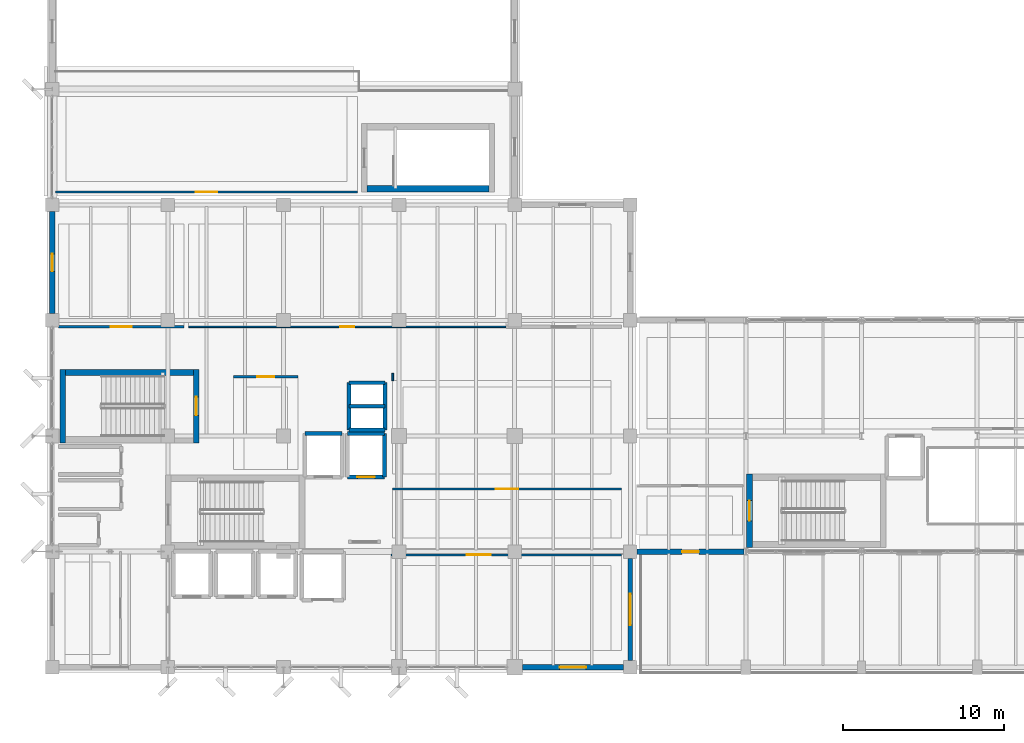
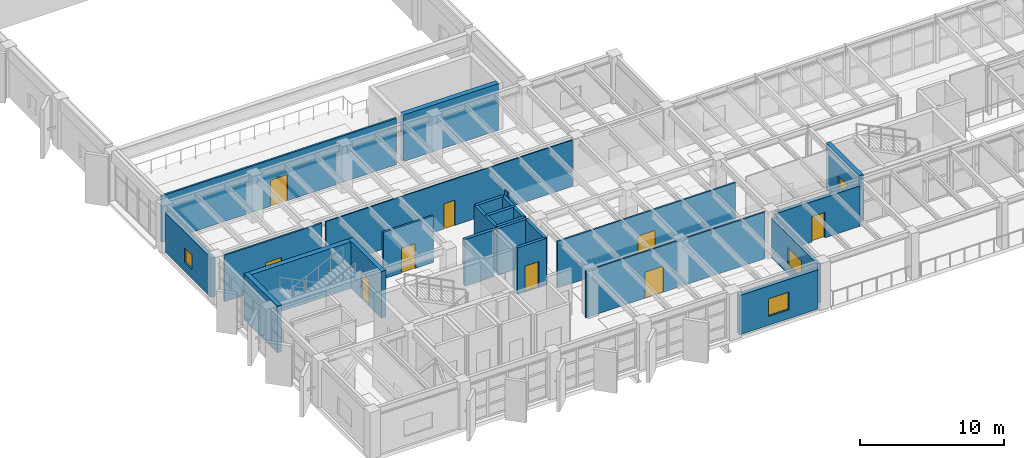
# One storey, part 41 of 59: 25 walls, 10 doors, 3 windows, 13 openings.
"""IFC4 building model written with IfcOpenShell, lengths in metres."""

from ifc_helpers import new_model, si_unit, direction, frame, frame_2d, origin, place, context, subcontext, project, spatial, rectangle, extrude, material, layer, layer_set, type_object, element, fill, save


model = new_model("IFC4")

# Units and contexts
model_context = context("Model", 3, precision=1e-05, world=origin(), true_north=direction((0.0, 1.0)))
body_context = subcontext(model_context, "Body", "Model", "MODEL_VIEW")
ifc_project = project(units=[si_unit("LENGTHUNIT", "METRE"), si_unit("AREAUNIT", "SQUARE_METRE"), si_unit("VOLUMEUNIT", "CUBIC_METRE"), si_unit("PLANEANGLEUNIT", "RADIAN"), si_unit("MASSUNIT", "GRAM", prefix="KILO")], contexts=[model_context])

# Site, building, storey
site_placement = place(None, origin())
site = spatial("IfcSite", under=ifc_project, at=site_placement, CompositionType="ELEMENT")
building_placement = place(site_placement, origin())
building = spatial("IfcBuilding", under=site, at=building_placement, Name="Kandorven Conservatory and Botanical Research Centre", CompositionType="ELEMENT")
storey_placement = place(building_placement, frame((0.0, 0.0, 4.800048828125)))
storey = spatial("IfcBuildingStorey", under=building, at=storey_placement, Name="L01", CompositionType="ELEMENT", Elevation=4.800048828125)

# Walls
ifc_material_1 = material(Name="Concrete C40/50 (M50)", Category="concrete")
ifc_layer_1 = layer(ifc_material_1, 0.39990234375)
ifc_layer_set_1 = layer_set([ifc_layer_1], Name="Concrete C40/50 (M50)")
wall_type_1 = type_object("IfcWallType", Name="Wall_CW-RC-1", PredefinedType="SHEAR", material=ifc_layer_set_1)
wall_1_placement = place(storey_placement, frame((14.800048828125, 24.35498046875, 0.0), z_axis=(0.0, 0.0, 1.0), x_axis=(-1.0, 0.0, 0.0)))
element("IfcWall", 1, at=wall_1_placement, inside=storey, type_object=wall_type_1, Name="Core stair shear wall CW-RC-1 ST-T2 L01 side A", PredefinedType="SHEAR", context=body_context, shape_type="SweptSolid", body=[
    extrude(rectangle(XDim=7.97998046875, YDim=0.39990234375, at=frame_2d((3.989990234375, 0.0))), origin(), (0.0, 0.0, 1.0), 3.949951171875),
])
wall_2_placement = place(storey_placement, frame((25.60009765625, 35.794921875, 0.0), z_axis=(0.0, 0.0, 1.0), x_axis=(1.0, 0.0, 0.0)))
element("IfcWall", 2, at=wall_2_placement, inside=storey, type_object=wall_type_1, Name="Core stair shear wall CW-RC-1 ST-V2 L01 side A", PredefinedType="SHEAR", context=body_context, shape_type="SweptSolid", body=[
    extrude(rectangle(XDim=7.599853515625, YDim=0.39990234375, at=frame_2d((3.7998046875, 0.0))), origin(), (0.0, 0.0, 1.0), 3.949951171875),
])

# Wall, opening, door
ifc_material_2 = material(Name="Concrete C40/50 (M50)", Category="concrete")
ifc_layer_2 = layer(ifc_material_2, 0.35009765625)
ifc_layer_set_2 = layer_set([ifc_layer_2], Name="Concrete C40/50 (M50)")
wall_type_2 = type_object("IfcWallType", Name="Wall_CW-RC-2", PredefinedType="SHEAR", material=ifc_layer_set_2)
wall_3_placement = place(storey_placement, frame((14.97509765625, 24.550048828125, 0.0), z_axis=(0.0, 0.0, 1.0), x_axis=(0.0, -1.0, 0.0)))
wall_3 = element("IfcWall", 3, at=wall_3_placement, inside=storey, type_object=wall_type_2, Name="Core stair shear wall CW-RC-2 ST-T2 L01 entry", PredefinedType="SHEAR", context=body_context, shape_type="SweptSolid", body=[
    extrude(rectangle(XDim=4.590087890625, YDim=0.35009765625, at=frame_2d((2.294921875, 0.0))), origin(), (0.0, 0.0, 1.0), 3.949951171875),
])
opening_1_placement = place(wall_3_placement, frame((1.719970703125, 0.0, 0.0)))
opening_1 = element("IfcOpeningElement", 4, at=opening_1_placement, cuts=wall_3, Name="Opening FD-2", PredefinedType="OPENING", context=body_context, shape_type="SweptSolid", body=[
    extrude(rectangle(XDim=1.14990234375, YDim=2.199951171875, at=frame_2d((0.574951171875, 1.10009765625))), frame((0.0, 0.18505859375, 0.0), z_axis=(0.0, -1.0, 0.0), x_axis=(1.0, 0.0, 0.0)), (0.0, 0.0, 1.0), 0.3701171875),
])
ifc_material_3 = material(Name="Galvanised hollow steel fire door assembly", Category="steel")
door_type_1 = type_object("IfcDoorType", Name="Door_FD-2", OperationType="NOTDEFINED", PredefinedType="DOOR", material=ifc_material_3)
door_1_placement = place(opening_1_placement, origin())
door_1 = element("IfcDoor", 5, at=door_1_placement, inside=storey, type_object=door_type_1, Name="Exit stair fire door FD-2 ST-T2 L01", OperationType="SINGLE_SWING_RIGHT", OverallHeight=2.199951171875, OverallWidth=1.14990234375, PredefinedType="DOOR", context=body_context, shape_type="SweptSolid", body=[
    extrude(rectangle(XDim=1.14990234375, YDim=2.199951171875, at=frame_2d((0.574951171875, 1.10009765625))), frame((0.0, 0.02490234375, 0.0), z_axis=(0.0, -1.0, 0.0), x_axis=(1.0, 0.0, 0.0)), (0.0, 0.0, 1.0), 0.050048828125),
])
fill(opening_1, door_1)

# Wall
wall_4_placement = place(storey_placement, frame((6.64501953125, 24.550048828125, 0.0), z_axis=(0.0, 0.0, 1.0), x_axis=(0.0, -1.0, 0.0)))
element("IfcWall", 6, at=wall_4_placement, inside=storey, type_object=wall_type_2, Name="Core stair shear wall CW-RC-2 ST-T2 L01 far", PredefinedType="SHEAR", context=body_context, shape_type="SweptSolid", body=[
    extrude(rectangle(XDim=4.590087890625, YDim=0.35009765625, at=frame_2d((2.294921875, 0.0))), origin(), (0.0, 0.0, 1.0), 3.949951171875),
])

# Wall, opening, door
wall_5_placement = place(storey_placement, frame((49.425048828125, 13.449951171875, 0.0), z_axis=(0.0, 0.0, 1.0), x_axis=(0.0, 1.0, 0.0)))
wall_5 = element("IfcWall", 7, at=wall_5_placement, inside=storey, type_object=wall_type_2, Name="Core stair shear wall CW-RC-2 ST-V3A L01 entry", PredefinedType="SHEAR", context=body_context, shape_type="SweptSolid", body=[
    extrude(rectangle(XDim=4.590087890625, YDim=0.35009765625, at=frame_2d((2.294921875, 0.0))), origin(), (0.0, 0.0, 1.0), 3.949951171875),
])
opening_2_placement = place(wall_5_placement, frame((1.669921875, 0.0, 0.0)))
opening_2 = element("IfcOpeningElement", 8, at=opening_2_placement, cuts=wall_5, Name="Opening FD-1", PredefinedType="OPENING", context=body_context, shape_type="SweptSolid", body=[
    extrude(rectangle(XDim=1.25, YDim=2.199951171875, at=frame_2d((0.625, 1.10009765625))), frame((0.0, 0.18505859375, 0.0), z_axis=(0.0, -1.0, 0.0), x_axis=(1.0, 0.0, 0.0)), (0.0, 0.0, 1.0), 0.3701171875),
])
ifc_material_4 = material(Name="Galvanised hollow steel fire door assembly", Category="steel")
door_type_2 = type_object("IfcDoorType", Name="Door_FD-1", OperationType="NOTDEFINED", PredefinedType="DOOR", material=ifc_material_4)
door_2_placement = place(opening_2_placement, origin())
door_2 = element("IfcDoor", 9, at=door_2_placement, inside=storey, type_object=door_type_2, Name="Exit stair fire door FD-1 ST-V3A L01", OperationType="SINGLE_SWING_RIGHT", OverallHeight=2.199951171875, OverallWidth=1.25, PredefinedType="DOOR", context=body_context, shape_type="SweptSolid", body=[
    extrude(rectangle(XDim=1.25, YDim=2.199951171875, at=frame_2d((0.625, 1.10009765625))), frame((0.0, 0.02490234375, 0.0), z_axis=(0.0, -1.0, 0.0), x_axis=(1.0, 0.0, 0.0)), (0.0, 0.0, 1.0), 0.050048828125),
])
fill(opening_2, door_2)

# Wall
wall_6_placement = place(storey_placement, frame((21.75, 20.550048828125, 0.0), z_axis=(0.0, 0.0, 1.0), x_axis=(1.0, 0.0, 0.0)))
element("IfcWall", 10, at=wall_6_placement, inside=storey, type_object=wall_type_2, Name="Lift shaft wall FFL-1 L01 N", PredefinedType="SHEAR", context=body_context, shape_type="SweptSolid", body=[
    extrude(rectangle(XDim=2.300048828125, YDim=0.25, at=frame_2d((1.14990234375, 0.0))), origin(), (0.0, 0.0, 1.0), 3.949951171875),
])

# Wall, opening, door
wall_7_placement = place(storey_placement, frame((24.39990234375, 17.85009765625, 0.0), z_axis=(0.0, 0.0, 1.0), x_axis=(1.0, 0.0, 0.0)))
wall_7 = element("IfcWall", 11, at=wall_7_placement, inside=storey, type_object=wall_type_2, Name="Lift shaft wall FFL-2 L01 S", PredefinedType="SHEAR", context=body_context, shape_type="SweptSolid", body=[
    extrude(rectangle(XDim=2.300048828125, YDim=0.25, at=frame_2d((1.14990234375, 0.0))), origin(), (0.0, 0.0, 1.0), 3.949951171875),
])
opening_3_placement = place(wall_7_placement, frame((0.60009765625, 0.0, 0.0)))
opening_3 = element("IfcOpeningElement", 12, at=opening_3_placement, cuts=wall_7, Name="Opening LD-01", PredefinedType="OPENING", context=body_context, shape_type="SweptSolid", body=[
    extrude(rectangle(XDim=1.10009765625, YDim=2.199951171875, at=frame_2d((0.550048828125, 1.10009765625))), frame((0.0, 0.135009765625, 0.0), z_axis=(0.0, -1.0, 0.0), x_axis=(1.0, 0.0, 0.0)), (0.0, 0.0, 1.0), 0.27001953125),
])
ifc_material_5 = material(Name="Anodised aluminium sliding landing door", Category="aluminium")
door_type_3 = type_object("IfcDoorType", Name="Door_LD-01", OperationType="DOUBLE_DOOR_SLIDING", PredefinedType="DOOR", material=ifc_material_5)
door_3_placement = place(opening_3_placement, origin())
door_3 = element("IfcDoor", 13, at=door_3_placement, inside=storey, type_object=door_type_3, Name="Lift landing sliding door LD-01 (FFL-2 L01)", OperationType="DOUBLE_DOOR_SLIDING", OverallHeight=2.199951171875, OverallWidth=1.10009765625, PredefinedType="DOOR", context=body_context, shape_type="SweptSolid", body=[
    extrude(rectangle(XDim=1.10009765625, YDim=2.199951171875, at=frame_2d((0.550048828125, 1.10009765625))), frame((0.0, 0.02490234375, 0.0), z_axis=(0.0, -1.0, 0.0), x_axis=(1.0, 0.0, 0.0)), (0.0, 0.0, 1.0), 0.050048828125),
])
fill(opening_3, door_3)

# Walls
wall_8_placement = place(storey_placement, frame((24.39990234375, 20.550048828125, 0.0), z_axis=(0.0, 0.0, 1.0), x_axis=(1.0, 0.0, 0.0)))
element("IfcWall", 14, at=wall_8_placement, inside=storey, type_object=wall_type_2, Name="Lift shaft wall FFL-2 L01 N", PredefinedType="SHEAR", context=body_context, shape_type="SweptSolid", body=[
    extrude(rectangle(XDim=2.300048828125, YDim=0.25, at=frame_2d((1.14990234375, 0.0))), origin(), (0.0, 0.0, 1.0), 3.949951171875),
])
wall_9_placement = place(storey_placement, frame((26.699951171875, 17.85009765625, 0.0), z_axis=(0.0, 0.0, 1.0), x_axis=(0.0, 1.0, 0.0)))
element("IfcWall", 15, at=wall_9_placement, inside=storey, type_object=wall_type_2, Name="Lift shaft wall FFL-2 L01 E", PredefinedType="SHEAR", context=body_context, shape_type="SweptSolid", body=[
    extrude(rectangle(XDim=2.699951171875, YDim=0.25, at=frame_2d((1.35009765625, 0.0))), origin(), (0.0, 0.0, 1.0), 3.949951171875),
])
for number, where, z_axis, x_axis, name in (
    (16, (24.47998046875, 20.780029296875, 0.0), (0.0, 0.0, 1.0), (1.0, 0.0, 0.0), "Core MEP riser shaft wall CW-RC-2 L01 S"),
    (17, (24.47998046875, 22.25, 0.0), (0.0, 0.0, 1.0), (1.0, 0.0, 0.0), "Core MEP riser shaft wall CW-RC-2 L01 M"),
    (18, (24.47998046875, 23.719970703125, 0.0), (0.0, 0.0, 1.0), (1.0, 0.0, 0.0), "Core MEP riser shaft wall CW-RC-2 L01 N"),
):
    element("IfcWall", number, at=place(storey_placement, frame(where, z_axis=z_axis, x_axis=x_axis)), inside=storey, type_object=wall_type_2, Name=name, PredefinedType="SHEAR", context=body_context, shape_type="SweptSolid", body=[
        extrude(rectangle(XDim=2.239990234375, YDim=0.239990234375, at=frame_2d((1.1201171875, 0.0))), origin(), (0.0, 0.0, 1.0), 3.949951171875),
    ])
for number, where, z_axis, x_axis, name in (
    (19, (24.47998046875, 20.780029296875, 0.0), (0.0, 0.0, 1.0), (0.0, 1.0, 0.0), "Core MEP riser shaft wall CW-RC-2 L01 W"),
    (20, (26.719970703125, 20.780029296875, 0.0), (0.0, 0.0, 1.0), (0.0, 1.0, 0.0), "Core MEP riser shaft wall CW-RC-2 L01 E"),
):
    element("IfcWall", number, at=place(storey_placement, frame(where, z_axis=z_axis, x_axis=x_axis)), inside=storey, type_object=wall_type_2, Name=name, PredefinedType="SHEAR", context=body_context, shape_type="SweptSolid", body=[
        extrude(rectangle(XDim=2.93994140625, YDim=0.239990234375, at=frame_2d((1.469970703125, 0.0))), origin(), (0.0, 0.0, 1.0), 3.949951171875),
    ])

# Wall, opening, window
ifc_material_6 = material(Name="Concrete C40/50 (M50)", Category="concrete")
ifc_layer_3 = layer(ifc_material_6, 0.360107421875)
ifc_layer_set_3 = layer_set([ifc_layer_3], Name="Concrete C40/50 (M50)")
wall_type_3 = type_object("IfcWallType", Name="Wall_EW-01", PredefinedType="STANDARD", material=ifc_layer_set_3)
wall_10_placement = place(storey_placement, frame((35.27490234375, 6.0, 0.0), z_axis=(0.0, 0.0, 1.0), x_axis=(1.0, 0.0, 0.0)))
wall_10 = element("IfcWall", 21, at=wall_10_placement, inside=storey, type_object=wall_type_3, Name="Tower concrete facade wall EW-01 S L01", PredefinedType="STANDARD", context=body_context, shape_type="SweptSolid", body=[
    extrude(rectangle(XDim=6.300048828125, YDim=0.360107421875, at=frame_2d((3.14990234375, 0.0))), origin(), (0.0, 0.0, 1.0), 3.329833984375),
])
opening_4_placement = place(wall_10_placement, frame((2.324951171875, 0.0, 0.75)))
opening_4 = element("IfcOpeningElement", 22, at=opening_4_placement, cuts=wall_10, Name="Opening W-41", PredefinedType="OPENING", context=body_context, shape_type="SweptSolid", body=[
    extrude(rectangle(XDim=1.64990234375, YDim=1.5, at=frame_2d((0.824951171875, 0.75))), frame((0.0, 0.18994140625, 0.0), z_axis=(0.0, -1.0, 0.0), x_axis=(1.0, 0.0, 0.0)), (0.0, 0.0, 1.0), 0.380126953125),
])
ifc_material_7 = material(Name="Double-glazed solar-control low-E glass", Category="glass")
window_type_1 = type_object("IfcWindowType", Name="Win_W-41", PartitioningType="DOUBLE_PANEL_VERTICAL", PredefinedType="WINDOW", material=ifc_material_7)
window_1_placement = place(opening_4_placement, origin())
window_1 = element("IfcWindow", 23, at=window_1_placement, inside=storey, type_object=window_type_1, Name="Tower recessed solar window W-41", OverallHeight=1.5, OverallWidth=1.64990234375, PartitioningType="SINGLE_PANEL", PredefinedType="WINDOW", context=body_context, shape_type="SweptSolid", body=[
    extrude(rectangle(XDim=1.64990234375, YDim=1.5, at=frame_2d((0.824951171875, 0.75))), frame((0.0, 0.030029296875, 0.0), z_axis=(0.0, -1.0, 0.0), x_axis=(1.0, 0.0, 0.0)), (0.0, 0.0, 1.0), 0.06005859375),
])
fill(opening_4, window_1)

# Wall, opening, door
ifc_material_8 = material(Name="Concrete C32/40 (M40)", Category="concrete")
ifc_layer_4 = layer(ifc_material_8, 0.340087890625)
ifc_layer_set_4 = layer_set([ifc_layer_4], Name="Concrete C32/40 (M40)")
wall_type_4 = type_object("IfcWallType", Name="Wall_EW-02", PredefinedType="STANDARD", material=ifc_layer_set_4)
wall_11_placement = place(storey_placement, frame((42.425048828125, 13.199951171875, 0.0), z_axis=(0.0, 0.0, 1.0), x_axis=(1.0, 0.0, 0.0)))
wall_11 = element("IfcWall", 24, at=wall_11_placement, inside=storey, type_object=wall_type_4, Name="Visitor centre concrete wall EW-02 S L01", PredefinedType="STANDARD", context=body_context, shape_type="SweptSolid", body=[
    extrude(rectangle(XDim=6.64990234375, YDim=0.340087890625, at=frame_2d((3.324951171875, 0.0))), origin(), (0.0, 0.0, 1.0), 3.409912109375),
])
opening_5_placement = place(wall_11_placement, frame((2.800048828125, 0.0, 0.0)))
opening_5 = element("IfcOpeningElement", 25, at=opening_5_placement, cuts=wall_11, Name="Opening TD-02", PredefinedType="OPENING", context=body_context, shape_type="SweptSolid", body=[
    extrude(rectangle(XDim=1.050048828125, YDim=2.14990234375, at=frame_2d((0.52490234375, 1.074951171875))), frame((0.0, 0.179931640625, 0.0), z_axis=(0.0, -1.0, 0.0), x_axis=(1.0, 0.0, 0.0)), (0.0, 0.0, 1.0), 0.360107421875),
])
ifc_material_9 = material(Name="Bronze anodised thermally broken aluminium", Category="aluminium")
door_type_4 = type_object("IfcDoorType", Name="Door_TD-02", OperationType="NOTDEFINED", PredefinedType="DOOR", material=ifc_material_9)
door_4_placement = place(opening_5_placement, frame((1.050048828125, 0.0, 0.0), z_axis=(0.0, 0.0, 1.0), x_axis=(-1.0, 0.0, 0.0)))
door_4 = element("IfcDoor", 26, at=door_4_placement, inside=storey, type_object=door_type_4, Name="Level L01 colonnade gallery terrace access door TD-02", OperationType="SINGLE_SWING_LEFT", OverallHeight=2.14990234375, OverallWidth=1.050048828125, PredefinedType="DOOR", context=body_context, shape_type="SweptSolid", body=[
    extrude(rectangle(XDim=1.050048828125, YDim=2.14990234375, at=frame_2d((0.52490234375, 1.074951171875))), frame((0.0, 0.02490234375, 0.0), z_axis=(0.0, -1.0, 0.0), x_axis=(1.0, 0.0, 0.0)), (0.0, 0.0, 1.0), 0.050048828125),
])
fill(opening_5, door_4)

# Wall, opening, window
wall_12_placement = place(storey_placement, frame((6.0, 28.02490234375, 0.0), z_axis=(0.0, 0.0, 1.0), x_axis=(0.0, 1.0, 0.0)))
wall_12 = element("IfcWall", 27, at=wall_12_placement, inside=storey, type_object=wall_type_4, Name="Tower concrete facade wall EW-02 W L01", PredefinedType="STANDARD", context=body_context, shape_type="SweptSolid", body=[
    extrude(rectangle(XDim=6.35009765625, YDim=0.340087890625, at=frame_2d((3.175048828125, 0.0))), origin(), (0.0, 0.0, 1.0), 3.329833984375),
])
opening_6_placement = place(wall_12_placement, frame((2.625, 0.0, 0.75)))
opening_6 = element("IfcOpeningElement", 28, at=opening_6_placement, cuts=wall_12, Name="Opening W-45", PredefinedType="OPENING", context=body_context, shape_type="SweptSolid", body=[
    extrude(rectangle(XDim=1.10009765625, YDim=1.25, at=frame_2d((0.550048828125, 0.625))), frame((0.0, 0.179931640625, 0.0), z_axis=(0.0, -1.0, 0.0), x_axis=(1.0, 0.0, 0.0)), (0.0, 0.0, 1.0), 0.360107421875),
])
ifc_material_10 = material(Name="Double-glazed solar-control low-E glass", Category="glass")
window_type_2 = type_object("IfcWindowType", Name="Win_W-45", PartitioningType="DOUBLE_PANEL_VERTICAL", PredefinedType="WINDOW", material=ifc_material_10)
window_2_placement = place(opening_6_placement, origin())
window_2 = element("IfcWindow", 29, at=window_2_placement, inside=storey, type_object=window_type_2, Name="Tower recessed solar window W-45", OverallHeight=1.25, OverallWidth=1.10009765625, PartitioningType="SINGLE_PANEL", PredefinedType="WINDOW", context=body_context, shape_type="SweptSolid", body=[
    extrude(rectangle(XDim=1.10009765625, YDim=1.25, at=frame_2d((0.550048828125, 0.625))), frame((0.0, 0.030029296875, 0.0), z_axis=(0.0, -1.0, 0.0), x_axis=(1.0, 0.0, 0.0)), (0.0, 0.0, 1.0), 0.06005859375),
])
fill(opening_6, window_2)

ifc_material_11 = material(Name="Concrete C32/40 (M40)", Category="concrete")
ifc_layer_5 = layer(ifc_material_11, 0.280029296875)
ifc_layer_set_5 = layer_set([ifc_layer_5], Name="Concrete C32/40 (M40)")
wall_type_5 = type_object("IfcWallType", Name="Wall_EW-05", PredefinedType="STANDARD", material=ifc_layer_set_5)
wall_13_placement = place(storey_placement, frame((42.0, 6.425048828125, 0.0), z_axis=(0.0, 0.0, 1.0), x_axis=(0.0, 1.0, 0.0)))
wall_13 = element("IfcWall", 30, at=wall_13_placement, inside=storey, type_object=wall_type_5, Name="Tower concrete facade wall EW-05 E L01", PredefinedType="STANDARD", context=body_context, shape_type="SweptSolid", body=[
    extrude(rectangle(XDim=6.349853515625, YDim=0.280029296875, at=frame_2d((3.1748046875, 0.0))), origin(), (0.0, 0.0, 1.0), 3.329833984375),
])
opening_7_placement = place(wall_13_placement, frame((2.199951171875, 0.0, 0.75)))
opening_7 = element("IfcOpeningElement", 31, at=opening_7_placement, cuts=wall_13, Name="Opening W-42", PredefinedType="OPENING", context=body_context, shape_type="SweptSolid", body=[
    extrude(rectangle(XDim=1.949951171875, YDim=1.5, at=frame_2d((0.97509765625, 0.75))), frame((0.0, 0.14990234375, 0.0), z_axis=(0.0, -1.0, 0.0), x_axis=(1.0, 0.0, 0.0)), (0.0, 0.0, 1.0), 0.300048828125),
])
ifc_material_12 = material(Name="Double-glazed solar-control low-E glass", Category="glass")
window_type_3 = type_object("IfcWindowType", Name="Win_W-42", PartitioningType="DOUBLE_PANEL_VERTICAL", PredefinedType="WINDOW", material=ifc_material_12)
window_3_placement = place(opening_7_placement, origin())
window_3 = element("IfcWindow", 32, at=window_3_placement, inside=storey, type_object=window_type_3, Name="Tower recessed solar window W-42", OverallHeight=1.5, OverallWidth=1.949951171875, PartitioningType="SINGLE_PANEL", PredefinedType="WINDOW", context=body_context, shape_type="SweptSolid", body=[
    extrude(rectangle(XDim=1.949951171875, YDim=1.5, at=frame_2d((0.97509765625, 0.75))), frame((0.0, 0.030029296875, 0.0), z_axis=(0.0, -1.0, 0.0), x_axis=(1.0, 0.0, 0.0)), (0.0, 0.0, 1.0), 0.06005859375),
])
fill(opening_7, window_3)

# Wall, opening, door
ifc_material_13 = material(Name="Autoclaved aerated concrete blockwork masonry", Category="masonry")
ifc_layer_6 = layer(ifc_material_13, 0.1650390625)
ifc_layer_set_6 = layer_set([ifc_layer_6], Name="Autoclaved aerated concrete blockwork masonry")
wall_type_6 = type_object("IfcWallType", Name="Wall_IW-04", PredefinedType="PARTITIONING", material=ifc_layer_set_6)
wall_14_placement = place(storey_placement, frame((17.300048828125, 24.10009765625, 0.0), z_axis=(0.0, 0.0, 1.0), x_axis=(1.0, 0.0, 0.0)))
wall_14 = element("IfcWall", 33, at=wall_14_placement, inside=storey, type_object=wall_type_6, Name="Interior partition wall IW-04 (Botanical Specimen Preparation Laboratory L01)", PredefinedType="PARTITIONING", context=body_context, shape_type="SweptSolid", body=[
    extrude(rectangle(XDim=4.0, YDim=0.1650390625, at=frame_2d((2.0, 0.0))), origin(), (0.0, 0.0, 1.0), 3.929931640625),
])
opening_8_placement = place(wall_14_placement, frame((1.4599609375, 0.0, 0.0)))
opening_8 = element("IfcOpeningElement", 34, at=opening_8_placement, cuts=wall_14, Name="Opening D-13", PredefinedType="OPENING", context=body_context, shape_type="SweptSolid", body=[
    extrude(rectangle(XDim=1.080078125, YDim=2.10009765625, at=frame_2d((0.5400390625, 1.050048828125))), frame((0.0, 0.092529296875, 0.0), z_axis=(0.0, -1.0, 0.0), x_axis=(1.0, 0.0, 0.0)), (0.0, 0.0, 1.0), 0.18505859375),
])
ifc_material_14 = material(Name="Solid core acoustic teak-veneered timber leaf", Category="wood")
door_type_5 = type_object("IfcDoorType", Name="Door_D-13", OperationType="NOTDEFINED", PredefinedType="DOOR", material=ifc_material_14)
door_5_placement = place(opening_8_placement, origin())
door_5 = element("IfcDoor", 35, at=door_5_placement, inside=storey, type_object=door_type_5, Name="Interior door D-13 to Botanical Specimen Preparation Laboratory L01", OperationType="SINGLE_SWING_LEFT", OverallHeight=2.10009765625, OverallWidth=1.080078125, PredefinedType="DOOR", context=body_context, shape_type="SweptSolid", body=[
    extrude(rectangle(XDim=1.080078125, YDim=2.10009765625, at=frame_2d((0.5400390625, 1.050048828125))), frame((0.0, 0.02490234375, 0.0), z_axis=(0.0, -1.0, 0.0), x_axis=(1.0, 0.0, 0.0)), (0.0, 0.0, 1.0), 0.050048828125),
])
fill(opening_8, door_5)

ifc_material_15 = material(Name="Fire-rated acoustic gypsum board partition", Category="gypsum")
ifc_layer_7 = layer(ifc_material_15, 0.139892578125)
ifc_layer_set_7 = layer_set([ifc_layer_7], Name="Fire-rated acoustic gypsum board partition")
wall_type_7 = type_object("IfcWallType", Name="Wall_IW-06", PredefinedType="PARTITIONING", material=ifc_layer_set_7)
wall_15_placement = place(storey_placement, frame((6.39990234375, 27.199951171875, 0.0), z_axis=(0.0, 0.0, 1.0), x_axis=(1.0, 0.0, 0.0)))
wall_15 = element("IfcWall", 36, at=wall_15_placement, inside=storey, type_object=wall_type_7, Name="Interior partition wall IW-06 (Ethnobotany Field Specimen Studio L01)", PredefinedType="PARTITIONING", context=body_context, shape_type="SweptSolid", body=[
    extrude(rectangle(XDim=7.800048828125, YDim=0.139892578125, at=frame_2d((3.89990234375, 0.0))), origin(), (0.0, 0.0, 1.0), 3.929931640625),
])
opening_9_placement = place(wall_15_placement, frame((3.260009765625, 0.0, 0.0)))
opening_9 = element("IfcOpeningElement", 37, at=opening_9_placement, cuts=wall_15, Name="Opening D-15", PredefinedType="OPENING", context=body_context, shape_type="SweptSolid", body=[
    extrude(rectangle(XDim=1.280029296875, YDim=2.14990234375, at=frame_2d((0.64013671875, 1.074951171875))), frame((0.0, 0.079833984375, 0.0), z_axis=(0.0, -1.0, 0.0), x_axis=(1.0, 0.0, 0.0)), (0.0, 0.0, 1.0), 0.159912109375),
])
ifc_material_16 = material(Name="Solid core acoustic teak-veneered timber leaf", Category="wood")
door_type_6 = type_object("IfcDoorType", Name="Door_D-15", OperationType="NOTDEFINED", PredefinedType="DOOR", material=ifc_material_16)
door_6_placement = place(opening_9_placement, frame((1.280029296875, 0.0, 0.0), z_axis=(0.0, 0.0, 1.0), x_axis=(-1.0, 0.0, 0.0)))
door_6 = element("IfcDoor", 38, at=door_6_placement, inside=storey, type_object=door_type_6, Name="Interior door D-15 to Ethnobotany Field Specimen Studio L01", OperationType="SINGLE_SWING_LEFT", OverallHeight=2.14990234375, OverallWidth=1.280029296875, PredefinedType="DOOR", context=body_context, shape_type="SweptSolid", body=[
    extrude(rectangle(XDim=1.280029296875, YDim=2.14990234375, at=frame_2d((0.64013671875, 1.074951171875))), frame((0.0, 0.02490234375, 0.0), z_axis=(0.0, -1.0, 0.0), x_axis=(1.0, 0.0, 0.0)), (0.0, 0.0, 1.0), 0.050048828125),
])
fill(opening_9, door_6)

ifc_material_17 = material(Name="Fire-rated acoustic gypsum board partition", Category="gypsum")
ifc_layer_8 = layer(ifc_material_17, 0.1298828125)
ifc_layer_set_8 = layer_set([ifc_layer_8], Name="Fire-rated acoustic gypsum board partition")
wall_type_8 = type_object("IfcWallType", Name="Wall_IW-07", PredefinedType="PARTITIONING", material=ifc_layer_set_8)
wall_16_placement = place(storey_placement, frame((27.199951171875, 17.10009765625, 0.0), z_axis=(0.0, 0.0, 1.0), x_axis=(1.0, 0.0, 0.0)))
wall_16 = element("IfcWall", 39, at=wall_16_placement, inside=storey, type_object=wall_type_8, Name="Interior partition wall IW-07 (Plant Pathology Research Laboratory L01)", PredefinedType="PARTITIONING", context=body_context, shape_type="SweptSolid", body=[
    extrude(rectangle(XDim=14.25, YDim=0.1298828125, at=frame_2d((7.125, 0.0))), origin(), (0.0, 0.0, 1.0), 3.929931640625),
])
opening_10_placement = place(wall_16_placement, frame((6.43505859375, 0.0, 0.0)))
opening_10 = element("IfcOpeningElement", 40, at=opening_10_placement, cuts=wall_16, Name="Opening D-16", PredefinedType="OPENING", context=body_context, shape_type="SweptSolid", body=[
    extrude(rectangle(XDim=1.3798828125, YDim=2.14990234375, at=frame_2d((0.68994140625, 1.074951171875))), frame((0.0, 0.074951171875, 0.0), z_axis=(0.0, -1.0, 0.0), x_axis=(1.0, 0.0, 0.0)), (0.0, 0.0, 1.0), 0.14990234375),
])
ifc_material_18 = material(Name="Solid core acoustic teak-veneered timber leaf", Category="wood")
door_type_7 = type_object("IfcDoorType", Name="Door_D-16", OperationType="NOTDEFINED", PredefinedType="DOOR", material=ifc_material_18)
door_7_placement = place(opening_10_placement, origin())
door_7 = element("IfcDoor", 41, at=door_7_placement, inside=storey, type_object=door_type_7, Name="Interior door D-16 to Plant Pathology Research Laboratory L01", OperationType="SINGLE_SWING_RIGHT", OverallHeight=2.14990234375, OverallWidth=1.3798828125, PredefinedType="DOOR", context=body_context, shape_type="SweptSolid", body=[
    extrude(rectangle(XDim=1.3798828125, YDim=2.14990234375, at=frame_2d((0.68994140625, 1.074951171875))), frame((0.0, 0.02490234375, 0.0), z_axis=(0.0, -1.0, 0.0), x_axis=(1.0, 0.0, 0.0)), (0.0, 0.0, 1.0), 0.050048828125),
])
fill(opening_10, door_7)

ifc_material_19 = material(Name="Fire-rated acoustic gypsum board partition", Category="gypsum")
ifc_layer_9 = layer(ifc_material_19, 0.1201171875)
ifc_layer_set_9 = layer_set([ifc_layer_9], Name="Fire-rated acoustic gypsum board partition")
wall_type_9 = type_object("IfcWallType", Name="Wall_IW-08", PredefinedType="PARTITIONING", material=ifc_layer_set_9)
wall_17_placement = place(storey_placement, frame((27.10009765625, 13.0, 0.0), z_axis=(0.0, 0.0, 1.0), x_axis=(1.0, 0.0, 0.0)))
wall_17 = element("IfcWall", 42, at=wall_17_placement, inside=storey, type_object=wall_type_9, Name="Interior partition wall IW-08 (Molecular Genetics Research Laboratory)", PredefinedType="PARTITIONING", context=body_context, shape_type="SweptSolid", body=[
    extrude(rectangle(XDim=14.349853515625, YDim=0.1201171875, at=frame_2d((7.1748046875, 0.0))), origin(), (0.0, 0.0, 1.0), 3.929931640625),
])
opening_11_placement = place(wall_17_placement, frame((4.7294921875, 0.0, 0.0)))
opening_11 = element("IfcOpeningElement", 43, at=opening_11_placement, cuts=wall_17, Name="Opening D-17", PredefinedType="OPENING", context=body_context, shape_type="SweptSolid", body=[
    extrude(rectangle(XDim=1.47998046875, YDim=2.199951171875, at=frame_2d((0.739990234375, 1.10009765625))), frame((0.0, 0.070068359375, 0.0), z_axis=(0.0, -1.0, 0.0), x_axis=(1.0, 0.0, 0.0)), (0.0, 0.0, 1.0), 0.14013671875),
])
ifc_material_20 = material(Name="Solid core acoustic teak-veneered timber leaf", Category="wood")
door_type_8 = type_object("IfcDoorType", Name="Door_D-17", OperationType="NOTDEFINED", PredefinedType="DOOR", material=ifc_material_20)
door_8_placement = place(opening_11_placement, origin())
door_8 = element("IfcDoor", 44, at=door_8_placement, inside=storey, type_object=door_type_8, Name="Interior door D-17 to Molecular Genetics Research Laboratory", OperationType="SINGLE_SWING_LEFT", OverallHeight=2.199951171875, OverallWidth=1.47998046875, PredefinedType="DOOR", context=body_context, shape_type="SweptSolid", body=[
    extrude(rectangle(XDim=1.47998046875, YDim=2.199951171875, at=frame_2d((0.739990234375, 1.10009765625))), frame((0.0, 0.02490234375, 0.0), z_axis=(0.0, -1.0, 0.0), x_axis=(1.0, 0.0, 0.0)), (0.0, 0.0, 1.0), 0.050048828125),
])
fill(opening_11, door_8)

# Wall
ifc_material_21 = material(Name="Fire-rated acoustic gypsum board partition", Category="gypsum")
ifc_layer_10 = layer(ifc_material_21, 0.110107421875)
ifc_layer_set_10 = layer_set([ifc_layer_10], Name="Fire-rated acoustic gypsum board partition")
wall_type_10 = type_object("IfcWallType", Name="Wall_IW-09", PredefinedType="PARTITIONING", material=ifc_layer_set_10)
wall_18_placement = place(storey_placement, frame((27.199951171875, 24.300048828125, 0.0), z_axis=(0.0, 0.0, 1.0), x_axis=(0.0, -1.0, 0.0)))
element("IfcWall", 45, at=wall_18_placement, inside=storey, type_object=wall_type_10, Name="Interior partition wall IW-09 (DNA Sequencing and PCR Research Laboratory)", PredefinedType="PARTITIONING", context=body_context, shape_type="SweptSolid", body=[
    extrude(rectangle(XDim=0.449951171875, YDim=0.110107421875, at=frame_2d((0.22509765625, 0.0))), origin(), (0.0, 0.0, 1.0), 3.929931640625),
])

# Wall, opening, door
ifc_material_22 = material(Name="Fire-rated acoustic gypsum board partition", Category="gypsum")
ifc_layer_11 = layer(ifc_material_22, 0.10009765625)
ifc_layer_set_11 = layer_set([ifc_layer_11], Name="Fire-rated acoustic gypsum board partition")
wall_type_11 = type_object("IfcWallType", Name="Wall_IW-10", PredefinedType="PARTITIONING", material=ifc_layer_set_11)
wall_19_placement = place(storey_placement, frame((14.5, 27.199951171875, 0.0), z_axis=(0.0, 0.0, 1.0), x_axis=(1.0, 0.0, 0.0)))
wall_19 = element("IfcWall", 46, at=wall_19_placement, inside=storey, type_object=wall_type_11, Name="Interior partition wall IW-10 (Botanical Microscopy Suite)", PredefinedType="PARTITIONING", context=body_context, shape_type="SweptSolid", body=[
    extrude(rectangle(XDim=19.75, YDim=0.10009765625, at=frame_2d((9.875, 0.0))), origin(), (0.0, 0.0, 1.0), 3.929931640625),
])
opening_12_placement = place(wall_19_placement, frame((9.43505859375, 0.0, 0.0)))
opening_12 = element("IfcOpeningElement", 47, at=opening_12_placement, cuts=wall_19, Name="Opening D-19", PredefinedType="OPENING", context=body_context, shape_type="SweptSolid", body=[
    extrude(rectangle(XDim=0.8798828125, YDim=2.1201171875, at=frame_2d((0.43994140625, 1.06005859375))), frame((0.0, 0.06005859375, 0.0), z_axis=(0.0, -1.0, 0.0), x_axis=(1.0, 0.0, 0.0)), (0.0, 0.0, 1.0), 0.1201171875),
])
ifc_material_23 = material(Name="Solid core acoustic teak-veneered timber leaf", Category="wood")
door_type_9 = type_object("IfcDoorType", Name="Door_D-19", OperationType="NOTDEFINED", PredefinedType="DOOR", material=ifc_material_23)
door_9_placement = place(opening_12_placement, origin())
door_9 = element("IfcDoor", 48, at=door_9_placement, inside=storey, type_object=door_type_9, Name="Interior door D-19 to Botanical Microscopy Suite", OperationType="SINGLE_SWING_LEFT", OverallHeight=2.1201171875, OverallWidth=0.8798828125, PredefinedType="DOOR", context=body_context, shape_type="SweptSolid", body=[
    extrude(rectangle(XDim=0.8798828125, YDim=2.1201171875, at=frame_2d((0.43994140625, 1.06005859375))), frame((0.0, 0.02490234375, 0.0), z_axis=(0.0, -1.0, 0.0), x_axis=(1.0, 0.0, 0.0)), (0.0, 0.0, 1.0), 0.050048828125),
])
fill(opening_12, door_9)

ifc_material_24 = material(Name="Fire-rated acoustic gypsum board partition", Category="gypsum")
ifc_layer_12 = layer(ifc_material_24, 0.14599609375)
ifc_layer_set_12 = layer_set([ifc_layer_12], Name="Fire-rated acoustic gypsum board partition")
wall_type_12 = type_object("IfcWallType", Name="Wall_IW-15", PredefinedType="PARTITIONING", material=ifc_layer_set_12)
wall_20_placement = place(storey_placement, frame((6.199951171875, 35.60009765625, 0.0), z_axis=(0.0, 0.0, 1.0), x_axis=(1.0, 0.0, 0.0)))
wall_20 = element("IfcWall", 49, at=wall_20_placement, inside=storey, type_object=wall_type_12, Name="Interior partition wall IW-15 (Auditorium Projection Gallery and Acoustic Control Room)", PredefinedType="PARTITIONING", context=body_context, shape_type="SweptSolid", body=[
    extrude(rectangle(XDim=18.800048828125, YDim=0.14599609375, at=frame_2d((9.39990234375, 0.0))), origin(), (0.0, 0.0, 1.0), 3.929931640625),
])
opening_13_placement = place(wall_20_placement, frame((8.72998046875, 0.0, 0.0)))
opening_13 = element("IfcOpeningElement", 50, at=opening_13_placement, cuts=wall_20, Name="Opening D-24", PredefinedType="OPENING", context=body_context, shape_type="SweptSolid", body=[
    extrude(rectangle(XDim=1.340087890625, YDim=2.219970703125, at=frame_2d((0.669921875, 1.10986328125))), frame((0.0, 0.0830078125, 0.0), z_axis=(0.0, -1.0, 0.0), x_axis=(1.0, 0.0, 0.0)), (0.0, 0.0, 1.0), 0.166015625),
])
ifc_material_25 = material(Name="Solid core acoustic teak-veneered timber leaf", Category="wood")
door_type_10 = type_object("IfcDoorType", Name="Door_D-24", OperationType="NOTDEFINED", PredefinedType="DOOR", material=ifc_material_25)
door_10_placement = place(opening_13_placement, frame((1.340087890625, 0.0, 0.0), z_axis=(0.0, 0.0, 1.0), x_axis=(-1.0, 0.0, 0.0)))
door_10 = element("IfcDoor", 51, at=door_10_placement, inside=storey, type_object=door_type_10, Name="Interior door D-24 to Auditorium Projection Gallery and Acoustic Control Room", OperationType="SINGLE_SWING_RIGHT", OverallHeight=2.219970703125, OverallWidth=1.340087890625, PredefinedType="DOOR", context=body_context, shape_type="SweptSolid", body=[
    extrude(rectangle(XDim=1.340087890625, YDim=2.219970703125, at=frame_2d((0.669921875, 1.10986328125))), frame((0.0, 0.02490234375, 0.0), z_axis=(0.0, -1.0, 0.0), x_axis=(1.0, 0.0, 0.0)), (0.0, 0.0, 1.0), 0.050048828125),
])
fill(opening_13, door_10)

save(model, "model.ifc")
